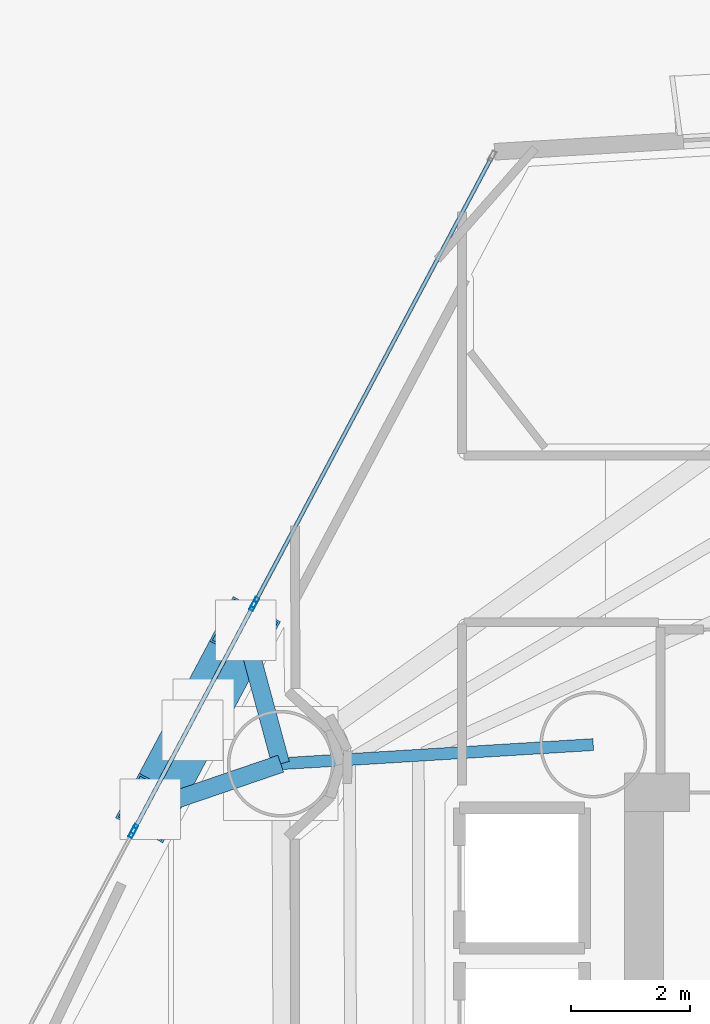
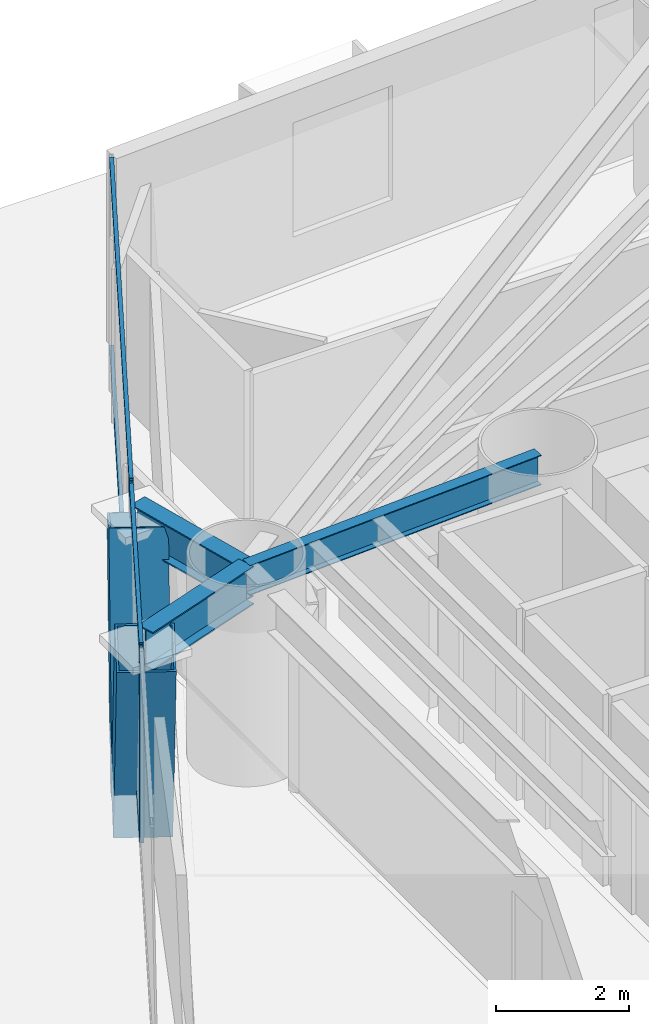
# One storey, part 6 of 22: 10 members, 3 beams, 3 elements without a shape of their own.
"""IFC4 building model written with IfcOpenShell, lengths in metres."""

from ifc_helpers import new_model, si_unit, direction, frame, origin, origin_2d, place, context, subcontext, project, spatial, hollow_rectangle, i_section, extrude, material, layer, layer_set, material_profile, profile_set, type_object, element, aggregate, save


model = new_model("IFC4")

# Units and contexts
model_context = context("Model", 3, precision=1e-05, world=origin(), true_north=direction((0.0, 1.0)))
body_context = subcontext(model_context, "Body", "Model", "MODEL_VIEW")
ifc_project = project(units=[si_unit("LENGTHUNIT", "METRE"), si_unit("AREAUNIT", "SQUARE_METRE"), si_unit("VOLUMEUNIT", "CUBIC_METRE"), si_unit("PLANEANGLEUNIT", "RADIAN"), si_unit("MASSUNIT", "GRAM", prefix="KILO")], contexts=[model_context])

# Site, building, storey
site_placement = place(None, origin())
site = spatial("IfcSite", under=ifc_project, at=site_placement, CompositionType="ELEMENT")
building_placement = place(site_placement, origin())
building = spatial("IfcBuilding", under=site, at=building_placement, Name="Qianvela Tower", CompositionType="ELEMENT")
storey_placement = place(building_placement, frame((0.0, 0.0, 25.699951171875)))
storey = spatial("IfcBuildingStorey", under=building, at=storey_placement, Name="L05", CompositionType="ELEMENT", Elevation=25.699951171875)

# Beams
ifc_material_1 = material(Name="Steel Q355B", Category="steel")
ifc_material_profile_1 = material_profile(ifc_material_1, i_section(OverallWidth=0.199951171875, OverallDepth=0.550048828125, WebThickness=0.010009765625, FlangeThickness=0.01611328125, at=origin_2d()), Name="HN550x200x10x16")
ifc_profile_set_1 = profile_set([ifc_material_profile_1], Name="Steel Q355B")
beam_type_1 = type_object("IfcBeamType", Name="BM-HN550-GIRD", PredefinedType="BEAM", material=ifc_profile_set_1)
beam_placement = place(storey_placement, frame((28.60009765625, 33.550048828125, 3.2431640625), z_axis=(-0.998132820146, -0.061080875465, 0.0), x_axis=(0.061080875465, -0.998132820146, 0.0)))
element("IfcBeam", 1, at=beam_placement, inside=storey, type_object=beam_type_1, Name="L05 Radial Primary Floor Girder 4", PredefinedType="BEAM", context=body_context, shape_type="SweptSolid", body=[
    extrude(i_section(OverallWidth=0.199951171875, OverallDepth=0.550048828125, WebThickness=0.010009765625, FlangeThickness=0.01611328125, at=origin_2d()), origin(), (0.0, 0.0, 1.0), 5.27197265625),
])
ifc_material_2 = material(Name="Steel Q355B", Category="steel")
ifc_material_profile_2 = material_profile(ifc_material_2, i_section(OverallWidth=0.300048828125, OverallDepth=0.699951171875, WebThickness=0.012939453125, FlangeThickness=0.02392578125, at=origin_2d()), Name="HN700x300x13x24")
ifc_profile_set_2 = profile_set([ifc_material_profile_2], Name="Steel Q355B")
beam_type_2 = type_object("IfcBeamType", Name="BM-HN700-SPAND", PredefinedType="SPANDREL", material=ifc_profile_set_2)
for number, where, z_axis, x_axis, name in (
    (2, (23.337890625, 33.22802734375, 3.16796875), (-0.260701324747, 0.965419504296, 0.0), (-0.965419504296, -0.260701324747, 0.0), "L05 Mega-Brace Column Tie Bracket F2-1"),
    (3, (23.337890625, 33.22802734375, 3.16796875), (-0.946158872713, -0.32370262215, 0.0), (0.32370262215, -0.946158872713, 0.0), "L05 Mega-Brace Column Tie Bracket F2-2"),
):
    element("IfcBeam", number, at=place(storey_placement, frame(where, z_axis=z_axis, x_axis=x_axis)), inside=storey, type_object=beam_type_2, Name=name, PredefinedType="SPANDREL", context=body_context, shape_type="SweptSolid", body=[
        extrude(i_section(OverallWidth=0.300048828125, OverallDepth=0.699951171875, WebThickness=0.012939453125, FlangeThickness=0.02392578125, at=origin_2d()), origin(), (0.0, 0.0, 1.0), 2.309326171875),
    ])

# Curtain wall, members
ifc_material_3 = material(Name="Anodised Architectural Aluminium and Insulated Spandrel Panel", Category="aluminium")
ifc_layer_1 = layer(ifc_material_3, 0.179931640625)
ifc_layer_set_1 = layer_set([ifc_layer_1], Name="Anodised Architectural Aluminium and Insulated Spandrel Panel")
curtain_wall_type_1 = type_object("IfcCurtainWallType", Name="CW-BRACEBAY", PredefinedType="USERDEFINED", material=ifc_layer_set_1)
curtain_wall_1_placement = place(storey_placement, origin())
curtain_wall_1 = element("IfcCurtainWall", 4, at=curtain_wall_1_placement, inside=storey, type_object=curtain_wall_type_1, Name="L05 CW-BRACEBAY Curtain Wall 04B", ObjectType="CURTAIN_WALL_SYSTEM", PredefinedType="USERDEFINED")
ifc_material_4 = material(Name="Anodised Architectural Aluminium 6063-T6", Category="aluminium")
ifc_material_profile_3 = material_profile(ifc_material_4, hollow_rectangle(XDim=0.06494140625, YDim=0.159912109375, WallThickness=0.0048828125, at=origin_2d()), Name="ALU-MULL-65x160")
ifc_profile_set_3 = profile_set([ifc_material_profile_3], Name="Anodised Architectural Aluminium 6063-T6")
member_type_1 = type_object("IfcMemberType", Name="CW-BRACEBAY-MULL", PredefinedType="MULLION", material=ifc_profile_set_3)
member_1_placement = place(storey_placement, frame((22.87255859375, 35.884765625, 0.0), z_axis=(0.0, 0.0, 1.0), x_axis=(0.882943030922, -0.469480142441, 0.0)))
member_1 = element("IfcMember", 5, at=member_1_placement, type_object=member_type_1, Name="CW-9 mullion 1", PredefinedType="MULLION", context=body_context, shape_type="SweptSolid", body=[
    extrude(hollow_rectangle(XDim=0.06494140625, YDim=0.159912109375, WallThickness=0.0048828125, at=origin_2d()), origin(), (0.0, 0.0, 1.0), 3.52001953125),
])
member_2_placement = place(storey_placement, frame((20.874755859375, 32.127685546875, 0.0), z_axis=(0.0, 0.0, 1.0), x_axis=(0.882943030922, -0.469480142441, 0.0)))
member_2 = element("IfcMember", 6, at=member_2_placement, type_object=member_type_1, Name="CW-9 mullion 2", PredefinedType="MULLION", context=body_context, shape_type="SweptSolid", body=[
    extrude(hollow_rectangle(XDim=0.06494140625, YDim=0.159912109375, WallThickness=0.0048828125, at=origin_2d()), origin(), (0.0, 0.0, 1.0), 3.52001953125),
])
ifc_material_5 = material(Name="Anodised Architectural Aluminium 6063-T6", Category="aluminium")
ifc_material_profile_4 = material_profile(ifc_material_5, hollow_rectangle(XDim=0.06494140625, YDim=0.1298828125, WallThickness=0.00439453125, at=origin_2d()), Name="ALU-TRAN-65x130")
ifc_profile_set_4 = profile_set([ifc_material_profile_4], Name="Anodised Architectural Aluminium 6063-T6")
member_type_2 = type_object("IfcMemberType", Name="CW-BRACEBAY-TRAN", PredefinedType="USERDEFINED", material=ifc_profile_set_4)
member_3_placement = place(storey_placement, frame((22.857177734375, 35.856201171875, 0.032470703125), z_axis=(-0.469447727488, -0.882960265899, 0.0), x_axis=(0.882960265899, -0.469447727488, 0.0)))
member_3 = element("IfcMember", 7, at=member_3_placement, type_object=member_type_2, Name="CW-9 transom 1.1", ObjectType="TRANSOM", PredefinedType="USERDEFINED", context=body_context, shape_type="SweptSolid", body=[
    extrude(hollow_rectangle(XDim=0.06494140625, YDim=0.1298828125, WallThickness=0.00439453125, at=origin_2d()), origin(), (0.0, 0.0, 1.0), 4.190185546875),
])
member_4_placement = place(storey_placement, frame((22.857177734375, 35.856201171875, 3.487548828125), z_axis=(-0.469447727488, -0.882960265899, 0.0), x_axis=(0.882960265899, -0.469447727488, 0.0)))
member_4 = element("IfcMember", 8, at=member_4_placement, type_object=member_type_2, Name="CW-9 transom 1.2", ObjectType="TRANSOM", PredefinedType="USERDEFINED", context=body_context, shape_type="SweptSolid", body=[
    extrude(hollow_rectangle(XDim=0.06494140625, YDim=0.1298828125, WallThickness=0.00439453125, at=origin_2d()), origin(), (0.0, 0.0, 1.0), 4.190185546875),
])
aggregate(curtain_wall_1, [member_1, member_2, member_3, member_4])

# Curtain wall, member
ifc_material_6 = material(Name="Anodised Architectural Aluminium and Low-E Glass", Category="aluminium")
ifc_layer_2 = layer(ifc_material_6, 0.179931640625)
ifc_layer_set_2 = layer_set([ifc_layer_2], Name="Anodised Architectural Aluminium and Low-E Glass")
curtain_wall_type_2 = type_object("IfcCurtainWallType", Name="CW-COLIV-Z12", PredefinedType="USERDEFINED", material=ifc_layer_set_2)
curtain_wall_2_placement = place(storey_placement, origin())
curtain_wall_2 = element("IfcCurtainWall", 9, at=curtain_wall_2_placement, inside=storey, type_object=curtain_wall_type_2, Name="L05 CW-COLIV-Z12 Curtain Wall 04A", ObjectType="CURTAIN_WALL_SYSTEM", PredefinedType="USERDEFINED")
ifc_material_7 = material(Name="Anodised Architectural Aluminium 6063-T6", Category="aluminium")
ifc_material_profile_5 = material_profile(ifc_material_7, hollow_rectangle(XDim=0.070068359375, YDim=0.179931640625, WallThickness=0.0048828125, at=origin_2d()), Name="ALU-MULL-70x180")
ifc_profile_set_5 = profile_set([ifc_material_profile_5], Name="Anodised Architectural Aluminium 6063-T6")
member_type_3 = type_object("IfcMemberType", Name="CW-COLIV-Z12-MULL", PredefinedType="MULLION", material=ifc_profile_set_5)
member_5_placement = place(storey_placement, frame((22.904052734375, 35.9443359375, 0.0), z_axis=(0.0, 0.0, 1.0), x_axis=(0.882951029841, -0.469465098705, 0.0)))
member_5 = element("IfcMember", 10, at=member_5_placement, type_object=member_type_3, Name="CW-3 mullion 2", PredefinedType="MULLION", context=body_context, shape_type="SweptSolid", body=[
    extrude(hollow_rectangle(XDim=0.070068359375, YDim=0.179931640625, WallThickness=0.0048828125, at=origin_2d()), origin(), (0.0, 0.0, 1.0), 3.52001953125),
])

curtain_wall_3_placement = place(storey_placement, origin())
curtain_wall_3 = element("IfcCurtainWall", 11, at=curtain_wall_3_placement, inside=storey, type_object=curtain_wall_type_2, Name="L05 CW-COLIV-Z12 Curtain Wall 04C", ObjectType="CURTAIN_WALL_SYSTEM", PredefinedType="USERDEFINED")
member_6_placement = place(storey_placement, frame((20.843017578125, 32.068115234375, 0.0), z_axis=(0.0, 0.0, 1.0), x_axis=(0.882951206588, -0.469464766287, 0.0)))
member_6 = element("IfcMember", 12, at=member_6_placement, type_object=member_type_3, Name="CW-3 mullion 1", PredefinedType="MULLION", context=body_context, shape_type="SweptSolid", body=[
    extrude(hollow_rectangle(XDim=0.070068359375, YDim=0.179931640625, WallThickness=0.0048828125, at=origin_2d()), origin(), (0.0, 0.0, 1.0), 3.52001953125),
])
aggregate(curtain_wall_3, [member_6])

# Member
ifc_material_8 = material(Name="Anodised Architectural Aluminium 6063-T6", Category="aluminium")
ifc_material_profile_6 = material_profile(ifc_material_8, hollow_rectangle(XDim=0.06494140625, YDim=0.1298828125, WallThickness=0.00439453125, at=origin_2d()), Name="ALU-TRAN-65x130")
ifc_profile_set_6 = profile_set([ifc_material_profile_6], Name="Anodised Architectural Aluminium 6063-T6")
member_type_4 = type_object("IfcMemberType", Name="CW-COLIV-Z12-TRAN", PredefinedType="USERDEFINED", material=ifc_profile_set_6)
member_7_placement = place(storey_placement, frame((26.8828125, 43.427490234375, 0.032470703125), z_axis=(-0.469451296126, -0.882958368535, 0.0), x_axis=(0.882958368535, -0.469451296126, 0.0)))
member_7 = element("IfcMember", 13, at=member_7_placement, type_object=member_type_4, Name="CW-3 transom 1.1", ObjectType="TRANSOM", PredefinedType="USERDEFINED", context=body_context, shape_type="SweptSolid", body=[
    extrude(hollow_rectangle(XDim=0.06494140625, YDim=0.1298828125, WallThickness=0.00439453125, at=origin_2d()), origin(), (0.0, 0.0, 1.0), 8.43994140625),
])

member_8_placement = place(storey_placement, frame((26.8828125, 43.427490234375, 3.487548828125), z_axis=(-0.469451296126, -0.882958368535, 0.0), x_axis=(0.882958368535, -0.469451296126, 0.0)))
member_8 = element("IfcMember", 14, at=member_8_placement, type_object=member_type_4, Name="CW-3 transom 1.2", ObjectType="TRANSOM", PredefinedType="USERDEFINED", context=body_context, shape_type="SweptSolid", body=[
    extrude(hollow_rectangle(XDim=0.06494140625, YDim=0.1298828125, WallThickness=0.00439453125, at=origin_2d()), origin(), (0.0, 0.0, 1.0), 8.43994140625),
])

aggregate(curtain_wall_2, [member_5, member_7, member_8])

# Members
ifc_material_9 = material(Name="Steel Q420GJC", Category="steel")
ifc_material_profile_7 = material_profile(ifc_material_9, hollow_rectangle(XDim=0.89990234375, YDim=0.89990234375, WallThickness=0.035888671875, at=origin_2d()), Name="MBOX-900x900x36")
ifc_profile_set_7 = profile_set([ifc_material_profile_7], Name="Steel Q420GJC")
member_type_5 = type_object("IfcMemberType", Name="MBR-MBRACE-900", PredefinedType="BRACE", material=ifc_profile_set_7)
member_9_placement = place(storey_placement, frame((22.047607421875, 34.163330078125, -0.90185546875), z_axis=(0.159101522077, 0.299183103416, 0.9408380181), x_axis=(-0.88291940161, 0.469524578974, 0.0)))
element("IfcMember", 15, at=member_9_placement, inside=storey, type_object=member_type_5, Name="L05 Tier 1 Exterior Mega-Brace F2A", PredefinedType="BRACE", context=body_context, shape_type="SweptSolid", body=[
    extrude(hollow_rectangle(XDim=0.89990234375, YDim=0.89990234375, WallThickness=0.035888671875, at=origin_2d()), origin(), (0.0, 0.0, 1.0), 4.32568359375),
])
member_10_placement = place(storey_placement, frame((21.841064453125, 33.77490234375, -0.90185546875), z_axis=(-0.159098835368, -0.299234489224, 0.940822130396), x_axis=(0.882956111588, -0.469455541035, 0.0)))
element("IfcMember", 16, at=member_10_placement, inside=storey, type_object=member_type_5, Name="L05 Tier 1 Exterior Mega-Brace F2B", PredefinedType="BRACE", context=body_context, shape_type="SweptSolid", body=[
    extrude(hollow_rectangle(XDim=0.89990234375, YDim=0.89990234375, WallThickness=0.035888671875, at=origin_2d()), origin(), (0.0, 0.0, 1.0), 4.325927734375),
])

save(model, "model.ifc")
